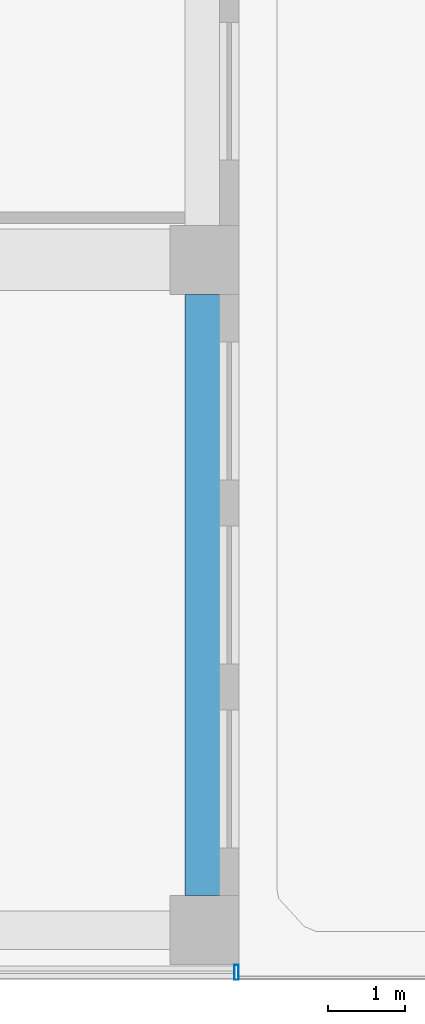
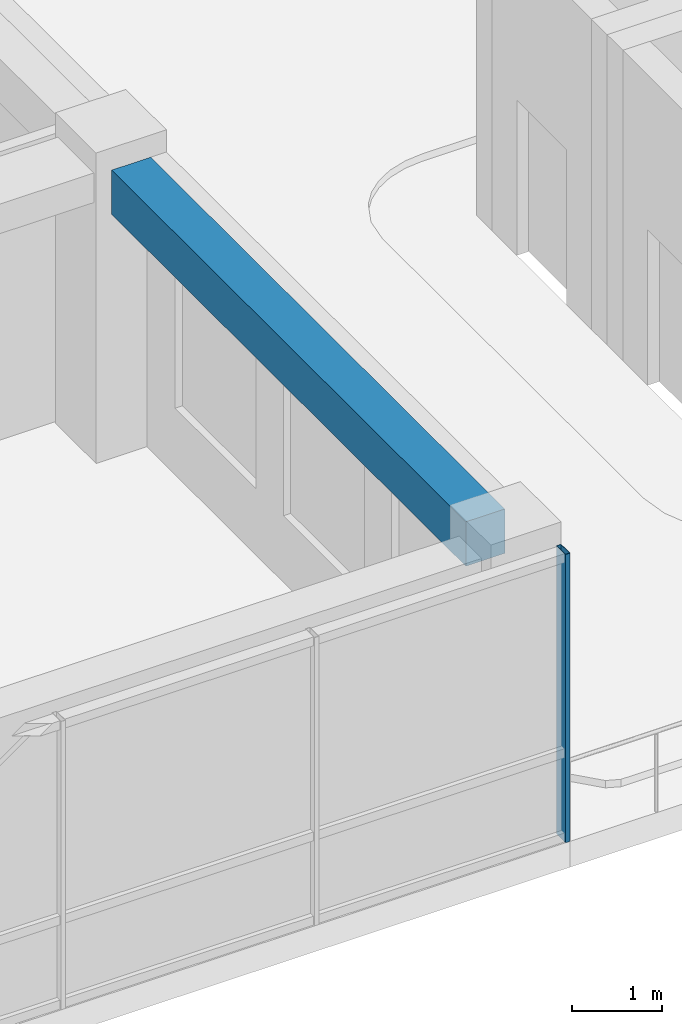
# One storey, part 14 of 72: 1 beam, 1 member, 1 element without a shape of its own.
"""IFC4 building model written with IfcOpenShell, lengths in metres."""

from ifc_helpers import new_model, si_unit, direction, frame, origin, origin_2d, place, context, subcontext, project, spatial, rectangle, hollow_rectangle, extrude, material, layer, layer_set, material_profile, profile_set, type_object, element, aggregate, save


model = new_model("IFC4")

# Units and contexts
model_context = context("Model", 3, precision=1e-05, world=origin(), true_north=direction((0.0, 1.0)))
body_context = subcontext(model_context, "Body", "Model", "MODEL_VIEW")
ifc_project = project(units=[si_unit("LENGTHUNIT", "METRE"), si_unit("AREAUNIT", "SQUARE_METRE"), si_unit("VOLUMEUNIT", "CUBIC_METRE"), si_unit("PLANEANGLEUNIT", "RADIAN"), si_unit("MASSUNIT", "GRAM", prefix="KILO")], contexts=[model_context])

# Site, building, storey
site_placement = place(None, origin())
site = spatial("IfcSite", under=ifc_project, at=site_placement, CompositionType="ELEMENT")
building_placement = place(site_placement, origin())
building = spatial("IfcBuilding", under=site, at=building_placement, Name="Nzadi Deep Aquarium and Research Tower", CompositionType="ELEMENT")
storey_placement = place(building_placement, frame((0.0, 0.0, 31.89990234375)))
storey = spatial("IfcBuildingStorey", under=building, at=storey_placement, Name="L05", CompositionType="ELEMENT", Elevation=31.89990234375)

# Curtain wall, member
ifc_material_1 = material(Name="Aluminium unitised frame", Category="aluminium")
ifc_layer = layer(ifc_material_1, 0.199951171875)
ifc_layer_set = layer_set([ifc_layer], Name="Aluminium unitised frame")
curtain_wall_type = type_object("IfcCurtainWallType", Name="Curtain wall Unitised 200", PredefinedType="NOTDEFINED", material=ifc_layer_set)
curtain_wall_placement = place(storey_placement, origin())
curtain_wall = element("IfcCurtainWall", 1, at=curtain_wall_placement, inside=storey, type_object=curtain_wall_type, Name="Unitised curtain wall blade A south L05", PredefinedType="NOTDEFINED")
ifc_material_2 = material(Name="Aluminium unitised frame", Category="aluminium")
ifc_material_profile_1 = material_profile(ifc_material_2, hollow_rectangle(XDim=0.199951171875, YDim=0.06005859375, WallThickness=0.0048828125, at=origin_2d()))
ifc_profile_set_1 = profile_set([ifc_material_profile_1], Name="Aluminium unitised frame")
member_type = type_object("IfcMemberType", Name="Mullion 60x200 Unitised", PredefinedType="MULLION", material=ifc_profile_set_1)
member_placement = place(storey_placement, frame((48.419921875, -0.10009765625, 0.0), z_axis=(0.0, 0.0, 1.0), x_axis=(0.0, 1.0, 0.0)))
member = element("IfcMember", 2, at=member_placement, type_object=member_type, Name="CW001 mullion 16", PredefinedType="MULLION", context=body_context, shape_type="SweptSolid", body=[
    extrude(hollow_rectangle(XDim=0.199951171875, YDim=0.06005859375, WallThickness=0.0048828125, at=origin_2d()), origin(), (0.0, 0.0, 1.0), 3.900146484375),
])
aggregate(curtain_wall, [member])

# Beam
ifc_material_3 = material(Name="Concrete C35/45", Category="concrete")
ifc_material_profile_2 = material_profile(ifc_material_3, rectangle(XDim=0.5, YDim=0.60009765625, at=origin_2d()))
ifc_profile_set_2 = profile_set([ifc_material_profile_2], Name="Concrete C35/45")
beam_type = type_object("IfcBeamType", Name="RC 500x600", PredefinedType="BEAM", material=ifc_profile_set_2)
beam_placement = place(storey_placement, frame((48.0, 0.89990234375, 3.60009765625), z_axis=(0.0, 1.0, 0.0), x_axis=(-1.0, 0.0, 0.0)))
element("IfcBeam", 3, at=beam_placement, inside=storey, type_object=beam_type, Name="B-Z1-L05-CF-1-1", PredefinedType="BEAM", context=body_context, shape_type="SweptSolid", body=[
    extrude(rectangle(XDim=0.5, YDim=0.60009765625, at=origin_2d()), origin(), (0.0, 0.0, 1.0), 7.85009765625),
])

save(model, "model.ifc")
